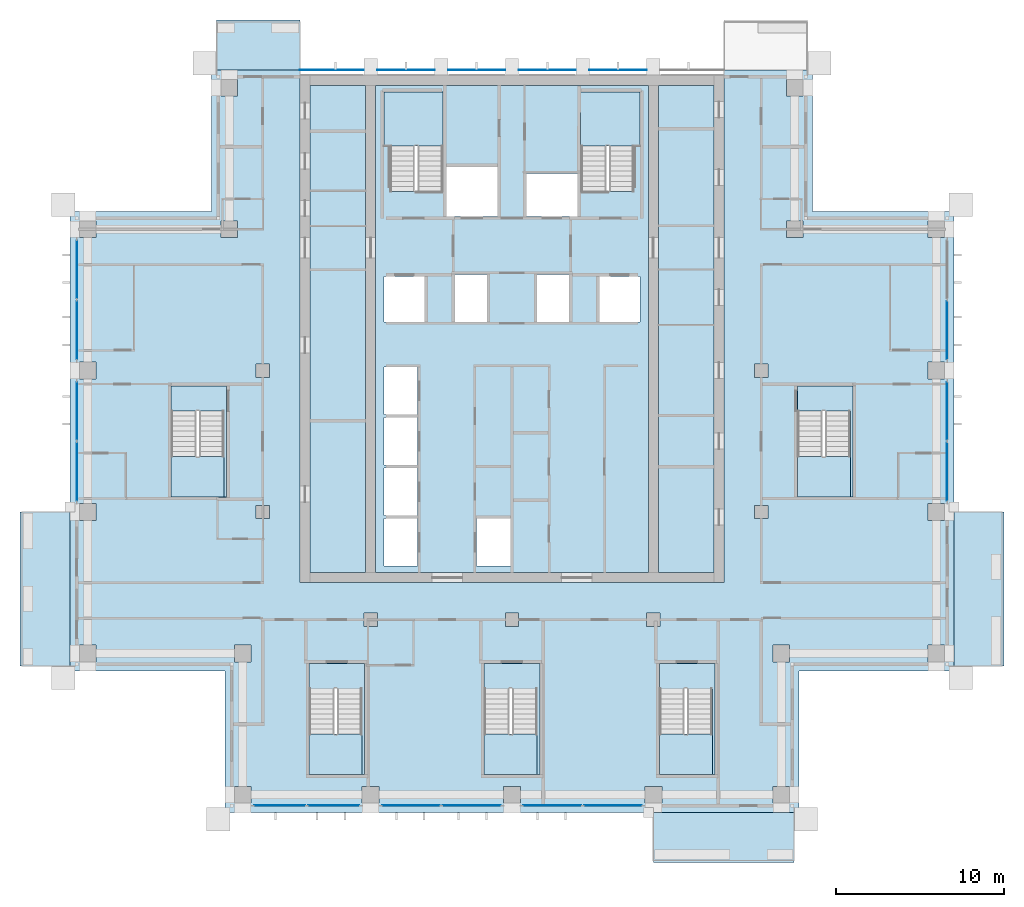
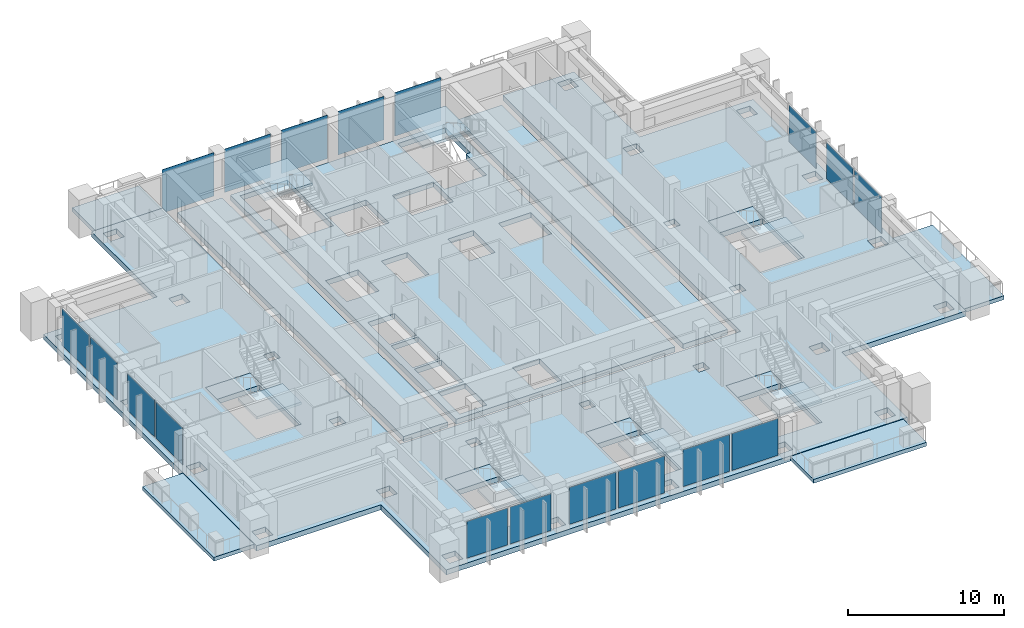
# One storey, part 8 of 19: 20 slabs, 18 plates, 14 elements without a shape of their own.
"""IFC4 building model written with IfcOpenShell, lengths in metres."""

import ifcopenshell
import ifcopenshell.guid

model = None  # the IFC model being written
_history = None  # IfcOwnerHistory: only IFC2X3 demands one
_inside = {}  # id of a spatial element -> (the spatial element, [elements in it])
_under = {}  # id of a project, library or spatial element -> (it, [spatial elements below it])
_declared = {}  # id of a project -> (the project, [libraries it declares])
_typed = {}  # id of a type object -> (the type object, [elements of that type])
_made_of = {}  # id of a material, layer set ... -> (it, [elements and type objects made of it])


def new_model(schema):
    """Start an empty IFC model of exactly this schema.

    Asked for "IFC4X3", IfcOpenShell would pick the latest addendum, in which some entities
    have other attributes; the version numbers below select the first issue.
    IFC2X3 requires an IfcOwnerHistory on every rooted entity: one is made here for all.
    """
    global model, _history
    if schema == "IFC4X3":
        model = ifcopenshell.file(schema_version=(4, 3, 0, 0))
    else:
        model = ifcopenshell.file(schema=schema)
    _inside.clear()
    _under.clear()
    _declared.clear()
    _typed.clear()
    _made_of.clear()
    _history = None
    if model.schema == "IFC2X3":
        org = make("IfcOrganization", Name="unknown")
        user = make(
            "IfcPersonAndOrganization",
            ThePerson=make("IfcPerson", FamilyName="unknown"),
            TheOrganization=org,
        )
        app = make(
            "IfcApplication",
            ApplicationDeveloper=org,
            Version="unknown",
            ApplicationFullName="unknown",
            ApplicationIdentifier="unknown",
        )
        _history = make(
            "IfcOwnerHistory",
            OwningUser=user,
            OwningApplication=app,
            ChangeAction="ADDED",
            CreationDate=0,
        )
    return model


def make(cls, **values):
    """One entity of the class cls with the attributes given. An attribute that is None is left unset."""
    return model.create_entity(
        cls, **{name: value for name, value in values.items() if value is not None}
    )


def rooted(cls, **values):
    """An entity with a GlobalId (a new one), such as an element, a storey or a relation."""
    return make(cls, GlobalId=ifcopenshell.guid.new(), OwnerHistory=_history, **values)


def si_unit(unit_type, name, prefix=None):
    """IfcSIUnit, for example si_unit("LENGTHUNIT", "METRE", prefix="MILLI")."""
    return make("IfcSIUnit", UnitType=unit_type, Prefix=prefix, Name=name)


def assignment(units):
    """IfcUnitAssignment: the units of a project."""
    return None if units is None else make("IfcUnitAssignment", Units=units)


def point(xyz):
    """IfcCartesianPoint."""
    return None if xyz is None else make("IfcCartesianPoint", Coordinates=xyz)


def direction(xyz):
    """IfcDirection."""
    return None if xyz is None else make("IfcDirection", DirectionRatios=xyz)


def frame(location, z_axis=None, x_axis=None):
    """IfcAxis2Placement3D, a coordinate frame: its origin and axes. An axis left out is left unset."""
    return make(
        "IfcAxis2Placement3D",
        Location=point(location),
        Axis=direction(z_axis),
        RefDirection=direction(x_axis),
    )


def frame_2d(location, x_axis=None):
    """IfcAxis2Placement2D, a coordinate frame in the plane: its origin and x axis."""
    return make(
        "IfcAxis2Placement2D", Location=point(location), RefDirection=direction(x_axis)
    )


def origin():
    """The frame at (0, 0, 0) with its axes left unset."""
    return frame((0.0, 0.0, 0.0))


def origin_2d():
    """The frame at (0, 0) in the plane with its x axis left unset."""
    return frame_2d((0.0, 0.0))


def place(relative_to, where):
    """IfcLocalPlacement: puts the frame where relative to a parent placement (None: the world)."""
    return make(
        "IfcLocalPlacement", PlacementRelTo=relative_to, RelativePlacement=where
    )


def context(
    kind, dimensions, precision=None, world=None, true_north=None, identifier=None
):
    """IfcGeometricRepresentationContext, for example the 3D "Model" context."""
    return make(
        "IfcGeometricRepresentationContext",
        ContextIdentifier=identifier,
        ContextType=kind,
        CoordinateSpaceDimension=dimensions,
        Precision=precision,
        WorldCoordinateSystem=world,
        TrueNorth=true_north,
    )


def subcontext(parent, identifier, kind, view, scale=None):
    """IfcGeometricRepresentationSubContext, for example "Body" below "Model"."""
    return make(
        "IfcGeometricRepresentationSubContext",
        ContextIdentifier=identifier,
        ContextType=kind,
        ParentContext=parent,
        TargetScale=scale,
        TargetView=view,
    )


def project(units=None, contexts=None):
    """IfcProject with its units and contexts."""
    return rooted(
        "IfcProject",
        Name="project",
        RepresentationContexts=contexts,
        UnitsInContext=assignment(units),
    )


def spatial(cls, under=None, at=None, **own):
    """A site, building, storey or space (cls), placed at a placement, below another one or the project."""
    s = rooted(cls, ObjectPlacement=at, **own)
    if under is not None:
        _under.setdefault(under.id(), (under, []))[1].append(s)
    return s


def polyline(points):
    """IfcPolyline through the points."""
    return make("IfcPolyline", Points=[point(p) for p in points])


def profile(cls, at=None, kind="AREA", **sizes):
    """A parametric profile (cls). Its sizes go by their IFC names, for example OverallWidth=200.0."""
    return make(cls, ProfileType=kind, Position=at, **sizes)


def rectangle(**sizes):
    """IfcRectangleProfileDef."""
    return profile("IfcRectangleProfileDef", **sizes)


def outline(outer, holes=None, kind="AREA"):
    """IfcArbitraryClosedProfileDef: a profile drawn as a closed curve; with holes, ...WithVoids."""
    if holes is None:
        return make("IfcArbitraryClosedProfileDef", ProfileType=kind, OuterCurve=outer)
    return make(
        "IfcArbitraryProfileDefWithVoids",
        ProfileType=kind,
        OuterCurve=outer,
        InnerCurves=holes,
    )


def extrude(swept, where, along, depth):
    """IfcExtrudedAreaSolid: the profile swept, set in the frame where, extruded along a direction by depth."""
    return make(
        "IfcExtrudedAreaSolid",
        SweptArea=swept,
        Position=where,
        ExtrudedDirection=direction(along),
        Depth=depth,
    )


def shape(context_of_items, identifier, shape_type, items):
    """IfcShapeRepresentation: the items that make up one representation, for example the "Body"."""
    return make(
        "IfcShapeRepresentation",
        ContextOfItems=context_of_items,
        RepresentationIdentifier=identifier,
        RepresentationType=shape_type,
        Items=items,
    )


def material(Name=None, Category=None):
    """IfcMaterial."""
    return make("IfcMaterial", Name=Name, Category=Category)


def layer(
    of_material, thickness, ventilated=None, Name=None, Category=None, Priority=None
):
    """IfcMaterialLayer: one layer of a wall or slab, of a material (None: an air gap)."""
    return make(
        "IfcMaterialLayer",
        Material=of_material,
        LayerThickness=thickness,
        IsVentilated=ventilated,
        Name=Name,
        Category=Category,
        Priority=Priority,
    )


def layer_set(layers, Name=None):
    """IfcMaterialLayerSet."""
    return make("IfcMaterialLayerSet", MaterialLayers=layers, LayerSetName=Name)


def made_of(thing, what):
    """Note that an element or type object is made of a material, layer set ...; save() writes the relation."""
    if what is not None:
        _made_of.setdefault(what.id(), (what, []))[1].append(thing)
    return thing


def type_object(cls, material=None, **own):
    """A type object (cls), such as IfcWallType, which elements share."""
    return made_of(rooted(cls, **own), material)


def element(
    cls,
    number,
    at=None,
    inside=None,
    cuts=None,
    type_object=None,
    material=None,
    context=None,
    identifier="Body",
    shape_type=None,
    held_by="IfcProductDefinitionShape",
    body=None,
    shapes=None,
    **own,
):
    """One element of the class cls, such as IfcWall. Its Tag is "e" and its number.

    at: its placement. inside: the storey or other place that contains it. cuts: it is an
    opening in that element (IfcRelVoidsElement). A single representation is given by context,
    identifier, shape_type and body (its items); several are given by shapes. held_by: the class
    of the entity that holds the representations. save() writes the other relations.
    """
    e = rooted(cls, Tag="e%d" % number, ObjectPlacement=at, **own)
    if body is not None:
        shapes = [shape(context, identifier, shape_type, body)]
    if shapes is not None:
        e.Representation = make(held_by, Representations=shapes)
    if inside is not None:
        _inside.setdefault(inside.id(), (inside, []))[1].append(e)
    if cuts is not None:
        rooted(
            "IfcRelVoidsElement", RelatingBuildingElement=cuts, RelatedOpeningElement=e
        )
    if type_object is not None:
        _typed.setdefault(type_object.id(), (type_object, []))[1].append(e)
    return made_of(e, material)


def aggregate(whole, parts):
    """IfcRelAggregates: a whole, such as a stair, and the parts it consists of."""
    return rooted("IfcRelAggregates", RelatingObject=whole, RelatedObjects=parts)


def save(model, path):
    """Write the relations noted so far, then the file.

    IfcRelAggregates (storeys below a building ...), IfcRelContainedInSpatialStructure (elements
    in a storey), IfcRelDefinesByType, IfcRelAssociatesMaterial and IfcRelDeclares: one each for
    every whole, place, type object, material and project.
    """
    for whole, parts in _under.values():
        aggregate(whole, parts)
    for where, things in _inside.values():
        rooted(
            "IfcRelContainedInSpatialStructure",
            RelatedElements=things,
            RelatingStructure=where,
        )
    for kind, things in _typed.values():
        rooted("IfcRelDefinesByType", RelatedObjects=things, RelatingType=kind)
    for what, things in _made_of.values():
        rooted("IfcRelAssociatesMaterial", RelatedObjects=things, RelatingMaterial=what)
    for by, libraries in _declared.values():
        rooted("IfcRelDeclares", RelatingContext=by, RelatedDefinitions=libraries)
    model.write(path)


model = new_model("IFC4")

# Units and contexts
model_context = context("Model", 3, precision=1e-05, world=origin(), true_north=direction((0.0, 1.0)))
body_context = subcontext(model_context, "Body", "Model", "MODEL_VIEW")
ifc_project = project(units=[si_unit("LENGTHUNIT", "METRE"), si_unit("AREAUNIT", "SQUARE_METRE"), si_unit("VOLUMEUNIT", "CUBIC_METRE"), si_unit("PLANEANGLEUNIT", "RADIAN"), si_unit("MASSUNIT", "GRAM", prefix="KILO")], contexts=[model_context])

# Site, building, storey
site_placement = place(None, origin())
site = spatial("IfcSite", under=ifc_project, at=site_placement, CompositionType="ELEMENT")
building_placement = place(site_placement, origin())
building = spatial("IfcBuilding", under=site, at=building_placement, Name="Vermilion Ogive Tower", CompositionType="ELEMENT")
storey_placement = place(building_placement, frame((0.0, 0.0, 213.5)))
storey = spatial("IfcBuildingStorey", under=building, at=storey_placement, Name="L56", CompositionType="ELEMENT", Elevation=213.5)

# Slabs
ifc_material_1 = material(Name="Concrete B40", Category="concrete")
ifc_layer_1 = layer(ifc_material_1, 0.300048828125)
ifc_layer_set_1 = layer_set([ifc_layer_1], Name="Balcony slab")
slab_type_1 = type_object("IfcSlabType", Name="Balcony slab", PredefinedType="FLOOR", material=ifc_layer_set_1)
slab_1_placement = place(storey_placement, frame((0.0, 0.0, -0.340087890625)))
element("IfcSlab", 1, at=slab_1_placement, inside=storey, type_object=slab_type_1, Name="Balcony slab S04", PredefinedType="FLOOR", context=body_context, shape_type="SweptSolid", body=[
    extrude(outline(polyline([(8.39990234375, -25.030029296875), (16.75, -25.030029296875), (16.75, -22.050048828125), (8.39990234375, -22.050048828125), (8.39990234375, -25.030029296875)])), origin(), (0.0, 0.0, 1.0), 0.300048828125),
])
slab_2_placement = place(storey_placement, frame((0.0, 0.0, -0.340087890625)))
element("IfcSlab", 2, at=slab_2_placement, inside=storey, type_object=slab_type_1, Name="Balcony slab E01", PredefinedType="FLOOR", context=body_context, shape_type="SweptSolid", body=[
    extrude(outline(polyline([(29.22998046875, -13.35009765625), (29.22998046875, -4.199951171875), (26.25, -4.199951171875), (26.25, -13.35009765625), (29.22998046875, -13.35009765625)])), origin(), (0.0, 0.0, 1.0), 0.300048828125),
])
slab_3_placement = place(storey_placement, frame((0.0, 0.0, -0.340087890625)))
element("IfcSlab", 3, at=slab_3_placement, inside=storey, type_object=slab_type_1, Name="Balcony slab N201", PredefinedType="FLOOR", context=body_context, shape_type="SweptSolid", body=[
    extrude(outline(polyline([(-12.60009765625, 25.030029296875), (-17.550048828125, 25.030029296875), (-17.550048828125, 22.050048828125), (-12.60009765625, 22.050048828125), (-12.60009765625, 25.030029296875)])), origin(), (0.0, 0.0, 1.0), 0.300048828125),
])
slab_4_placement = place(storey_placement, frame((0.0, 0.0, -0.340087890625)))
element("IfcSlab", 4, at=slab_4_placement, inside=storey, type_object=slab_type_1, Name="Balcony slab W03", PredefinedType="FLOOR", context=body_context, shape_type="SweptSolid", body=[
    extrude(outline(polyline([(-29.22998046875, -4.199951171875), (-29.22998046875, -13.35009765625), (-26.25, -13.35009765625), (-26.25, -4.199951171875), (-29.22998046875, -4.199951171875)])), origin(), (0.0, 0.0, 1.0), 0.300048828125),
])

# Curtain wall, plates
ifc_material_2 = material(Name="Low-iron laminated glazing in aluminium frame", Category="aluminium")
curtain_wall_type = type_object("IfcCurtainWallType", Name="Curtain wall CW7", PredefinedType="NOTDEFINED", material=ifc_material_2)
curtain_wall_1_placement = place(storey_placement, origin())
curtain_wall_1 = element("IfcCurtainWall", 5, at=curtain_wall_1_placement, inside=storey, type_object=curtain_wall_type, Name="Glazed skin S1", PredefinedType="NOTDEFINED")
ifc_material_3 = material(Name="Low-iron laminated glazing in aluminium frame", Category="aluminium")
ifc_layer_2 = layer(ifc_material_3, 0.031982421875)
ifc_layer_set_2 = layer_set([ifc_layer_2], Name="CW7 glazing panel 32")
plate_type_1 = type_object("IfcPlateType", Name="CW7 glazing panel 32", PredefinedType="CURTAIN_PANEL", material=ifc_layer_set_2)
plate_1_placement = place(storey_placement, frame((-13.804931640625, -21.64990234375, 0.06005859375), z_axis=(0.0, 0.0, 1.0), x_axis=(1.0, 0.0, 0.0)))
plate_1 = element("IfcPlate", 6, at=plate_1_placement, type_object=plate_type_1, Name="CW7-S1 panel 1.1", PredefinedType="CURTAIN_PANEL", context=body_context, shape_type="SweptSolid", body=[
    extrude(rectangle(XDim=3.030029296875, YDim=0.031982421875, at=origin_2d()), origin(), (0.0, 0.0, 1.0), 2.8798828125),
])
plate_2_placement = place(storey_placement, frame((-10.594970703125, -21.64990234375, 0.06005859375), z_axis=(0.0, 0.0, 1.0), x_axis=(1.0, 0.0, 0.0)))
plate_2 = element("IfcPlate", 7, at=plate_2_placement, type_object=plate_type_1, Name="CW7-S1 panel 2.1", PredefinedType="CURTAIN_PANEL", context=body_context, shape_type="SweptSolid", body=[
    extrude(rectangle(XDim=3.030029296875, YDim=0.031982421875, at=origin_2d()), origin(), (0.0, 0.0, 1.0), 2.8798828125),
])
aggregate(curtain_wall_1, [plate_1, plate_2])

curtain_wall_2_placement = place(storey_placement, origin())
curtain_wall_2 = element("IfcCurtainWall", 8, at=curtain_wall_2_placement, inside=storey, type_object=curtain_wall_type, Name="Glazed skin S2", PredefinedType="NOTDEFINED")
plate_3_placement = place(storey_placement, frame((-6.0048828125, -21.64990234375, 0.06005859375), z_axis=(0.0, 0.0, 1.0), x_axis=(1.0, 0.0, 0.0)))
plate_3 = element("IfcPlate", 9, at=plate_3_placement, type_object=plate_type_1, Name="CW7-S2 panel 1.1", PredefinedType="CURTAIN_PANEL", context=body_context, shape_type="SweptSolid", body=[
    extrude(rectangle(XDim=3.429931640625, YDim=0.031982421875, at=origin_2d()), origin(), (0.0, 0.0, 1.0), 2.8798828125),
])
plate_4_placement = place(storey_placement, frame((-2.39501953125, -21.64990234375, 0.06005859375), z_axis=(0.0, 0.0, 1.0), x_axis=(1.0, 0.0, 0.0)))
plate_4 = element("IfcPlate", 10, at=plate_4_placement, type_object=plate_type_1, Name="CW7-S2 panel 2.1", PredefinedType="CURTAIN_PANEL", context=body_context, shape_type="SweptSolid", body=[
    extrude(rectangle(XDim=3.429931640625, YDim=0.031982421875, at=origin_2d()), origin(), (0.0, 0.0, 1.0), 2.8798828125),
])
aggregate(curtain_wall_2, [plate_3, plate_4])

curtain_wall_3_placement = place(storey_placement, origin())
curtain_wall_3 = element("IfcCurtainWall", 11, at=curtain_wall_3_placement, inside=storey, type_object=curtain_wall_type, Name="Glazed skin S3", PredefinedType="NOTDEFINED")
plate_5_placement = place(storey_placement, frame((2.39501953125, -21.64990234375, 0.06005859375), z_axis=(0.0, 0.0, 1.0), x_axis=(1.0, 0.0, 0.0)))
plate_5 = element("IfcPlate", 12, at=plate_5_placement, type_object=plate_type_1, Name="CW7-S3 panel 1.1", PredefinedType="CURTAIN_PANEL", context=body_context, shape_type="SweptSolid", body=[
    extrude(rectangle(XDim=3.429931640625, YDim=0.031982421875, at=origin_2d()), origin(), (0.0, 0.0, 1.0), 2.8798828125),
])
plate_6_placement = place(storey_placement, frame((6.0048828125, -21.64990234375, 0.06005859375), z_axis=(0.0, 0.0, 1.0), x_axis=(1.0, 0.0, 0.0)))
plate_6 = element("IfcPlate", 13, at=plate_6_placement, type_object=plate_type_1, Name="CW7-S3 panel 2.1", PredefinedType="CURTAIN_PANEL", context=body_context, shape_type="SweptSolid", body=[
    extrude(rectangle(XDim=3.429931640625, YDim=0.031982421875, at=origin_2d()), origin(), (0.0, 0.0, 1.0), 2.8798828125),
])
aggregate(curtain_wall_3, [plate_5, plate_6])

curtain_wall_4_placement = place(storey_placement, origin())
curtain_wall_4 = element("IfcCurtainWall", 14, at=curtain_wall_4_placement, inside=storey, type_object=curtain_wall_type, Name="Glazed skin E2", PredefinedType="NOTDEFINED")
plate_7_placement = place(storey_placement, frame((25.85009765625, -1.804931640625, 0.06005859375), z_axis=(0.0, 0.0, 1.0), x_axis=(0.0, 1.0, 0.0)))
plate_7 = element("IfcPlate", 15, at=plate_7_placement, type_object=plate_type_1, Name="CW7-E2 panel 1.1", PredefinedType="CURTAIN_PANEL", context=body_context, shape_type="SweptSolid", body=[
    extrude(rectangle(XDim=3.429931640625, YDim=0.031982421875, at=origin_2d()), origin(), (0.0, 0.0, 1.0), 2.8798828125),
])
plate_8_placement = place(storey_placement, frame((25.85009765625, 1.804931640625, 0.06005859375), z_axis=(0.0, 0.0, 1.0), x_axis=(0.0, 1.0, 0.0)))
plate_8 = element("IfcPlate", 16, at=plate_8_placement, type_object=plate_type_1, Name="CW7-E2 panel 2.1", PredefinedType="CURTAIN_PANEL", context=body_context, shape_type="SweptSolid", body=[
    extrude(rectangle(XDim=3.429931640625, YDim=0.031982421875, at=origin_2d()), origin(), (0.0, 0.0, 1.0), 2.8798828125),
])
aggregate(curtain_wall_4, [plate_7, plate_8])

# Curtain wall, plate
curtain_wall_5_placement = place(storey_placement, origin())
curtain_wall_5 = element("IfcCurtainWall", 17, at=curtain_wall_5_placement, inside=storey, type_object=curtain_wall_type, Name="Glazed skin E3", PredefinedType="NOTDEFINED")
plate_9_placement = place(storey_placement, frame((25.85009765625, 6.594970703125, 0.06005859375), z_axis=(0.0, 0.0, 1.0), x_axis=(0.0, 1.0, 0.0)))
plate_9 = element("IfcPlate", 18, at=plate_9_placement, type_object=plate_type_1, Name="CW7-E3 panel 1.1", PredefinedType="CURTAIN_PANEL", context=body_context, shape_type="SweptSolid", body=[
    extrude(rectangle(XDim=3.429931640625, YDim=0.031982421875, at=origin_2d()), origin(), (0.0, 0.0, 1.0), 2.8798828125),
])
aggregate(curtain_wall_5, [plate_9])

# Curtain wall, plates
curtain_wall_6_placement = place(storey_placement, origin())
curtain_wall_6 = element("IfcCurtainWall", 19, at=curtain_wall_6_placement, inside=storey, type_object=curtain_wall_type, Name="Glazed skin W1", PredefinedType="NOTDEFINED")
plate_10_placement = place(storey_placement, frame((-25.85009765625, 10.205078125, 0.06005859375), z_axis=(0.0, 0.0, 1.0), x_axis=(0.0, -1.0, 0.0)))
plate_10 = element("IfcPlate", 20, at=plate_10_placement, type_object=plate_type_1, Name="CW7-W1 panel 1.1", PredefinedType="CURTAIN_PANEL", context=body_context, shape_type="SweptSolid", body=[
    extrude(rectangle(XDim=3.429931640625, YDim=0.031982421875, at=origin_2d()), origin(), (0.0, 0.0, 1.0), 2.8798828125),
])
plate_11_placement = place(storey_placement, frame((-25.85009765625, 6.594970703125, 0.06005859375), z_axis=(0.0, 0.0, 1.0), x_axis=(0.0, -1.0, 0.0)))
plate_11 = element("IfcPlate", 21, at=plate_11_placement, type_object=plate_type_1, Name="CW7-W1 panel 2.1", PredefinedType="CURTAIN_PANEL", context=body_context, shape_type="SweptSolid", body=[
    extrude(rectangle(XDim=3.429931640625, YDim=0.031982421875, at=origin_2d()), origin(), (0.0, 0.0, 1.0), 2.8798828125),
])
aggregate(curtain_wall_6, [plate_10, plate_11])

curtain_wall_7_placement = place(storey_placement, origin())
curtain_wall_7 = element("IfcCurtainWall", 22, at=curtain_wall_7_placement, inside=storey, type_object=curtain_wall_type, Name="Glazed skin W2", PredefinedType="NOTDEFINED")
plate_12_placement = place(storey_placement, frame((-25.85009765625, 1.804931640625, 0.06005859375), z_axis=(0.0, 0.0, 1.0), x_axis=(0.0, -1.0, 0.0)))
plate_12 = element("IfcPlate", 23, at=plate_12_placement, type_object=plate_type_1, Name="CW7-W2 panel 1.1", PredefinedType="CURTAIN_PANEL", context=body_context, shape_type="SweptSolid", body=[
    extrude(rectangle(XDim=3.429931640625, YDim=0.031982421875, at=origin_2d()), origin(), (0.0, 0.0, 1.0), 2.8798828125),
])
plate_13_placement = place(storey_placement, frame((-25.85009765625, -1.804931640625, 0.06005859375), z_axis=(0.0, 0.0, 1.0), x_axis=(0.0, -1.0, 0.0)))
plate_13 = element("IfcPlate", 24, at=plate_13_placement, type_object=plate_type_1, Name="CW7-W2 panel 2.1", PredefinedType="CURTAIN_PANEL", context=body_context, shape_type="SweptSolid", body=[
    extrude(rectangle(XDim=3.429931640625, YDim=0.031982421875, at=origin_2d()), origin(), (0.0, 0.0, 1.0), 2.8798828125),
])
aggregate(curtain_wall_7, [plate_12, plate_13])

# Slabs
ifc_material_4 = material(Name="Concrete B40", Category="concrete")
ifc_layer_3 = layer(ifc_material_4, 0.39990234375)
ifc_layer_set_3 = layer_set([ifc_layer_3], Name="Core floor slab 400 B40")
slab_type_2 = type_object("IfcSlabType", Name="Core floor slab 400 B40", PredefinedType="FLOOR", material=ifc_layer_set_3)
slab_5_placement = place(storey_placement, frame((0.0, 0.0, -0.39990234375)))
element("IfcSlab", 25, at=slab_5_placement, inside=storey, type_object=slab_type_2, Name="L56-CK-FS1", PredefinedType="FLOOR", context=body_context, shape_type="SweptSolid", body=[
    extrude(outline(polyline([(-11.99609375, 21.14599609375), (-8.7041015625, 21.14599609375), (-8.7041015625, -7.7958984375), (-11.99609375, -7.7958984375), (-11.99609375, 21.14599609375)])), origin(), (0.0, 0.0, 1.0), 0.39990234375),
])
slab_6_placement = place(storey_placement, frame((0.0, 0.0, -0.39990234375)))
element("IfcSlab", 26, at=slab_6_placement, inside=storey, type_object=slab_type_2, Name="L56-CK-FS2", PredefinedType="FLOOR", context=body_context, shape_type="SweptSolid", body=[
    extrude(outline(polyline([(-8.095947265625, -7.7958984375), (8.095947265625, -7.7958984375), (8.095947265625, 21.14599609375), (-8.095947265625, 21.14599609375), (-8.095947265625, -7.7958984375)]), holes=[polyline([(-7.60009765625, -7.39990234375), (-7.60009765625, -4.60009765625), (-5.60009765625, -4.60009765625), (-5.60009765625, -7.39990234375), (-7.60009765625, -7.39990234375)]), polyline([(-7.60009765625, -4.39990234375), (-7.60009765625, -1.60009765625), (-5.60009765625, -1.60009765625), (-5.60009765625, -4.39990234375), (-7.60009765625, -4.39990234375)]), polyline([(-7.60009765625, -1.39990234375), (-7.60009765625, 1.39990234375), (-5.60009765625, 1.39990234375), (-5.60009765625, -1.39990234375), (-7.60009765625, -1.39990234375)]), polyline([(-7.60009765625, 1.60009765625), (-7.60009765625, 4.39990234375), (-5.60009765625, 4.39990234375), (-5.60009765625, 1.60009765625), (-7.60009765625, 1.60009765625)]), polyline([(-7.60009765625, 7.10009765625), (-7.60009765625, 9.800048828125), (-5.199951171875, 9.800048828125), (-5.199951171875, 7.10009765625), (-7.60009765625, 7.10009765625)]), polyline([(-3.39990234375, 9.89990234375), (-1.5, 9.89990234375), (-1.5, 7.10009765625), (-3.39990234375, 7.10009765625), (-3.39990234375, 9.89990234375)]), polyline([(-7.60009765625, 17.550048828125), (-7.60009765625, 20.75), (-4.10009765625, 20.75), (-4.10009765625, 14.85205078125), (-5.60009765625, 14.85205078125), (-5.60009765625, 14.85009765625), (-5.75, 14.85009765625), (-5.75, 14.85205078125), (-7.25, 14.85205078125), (-7.25, 17.550048828125), (-7.60009765625, 17.550048828125)]), polyline([(-2.10009765625, -7.39990234375), (-2.10009765625, -4.60009765625), (-0.10009765625, -4.60009765625), (-0.10009765625, -7.39990234375), (-2.10009765625, -7.39990234375)]), polyline([(5.199951171875, 7.10009765625), (5.199951171875, 9.800048828125), (7.60009765625, 9.800048828125), (7.60009765625, 7.10009765625), (5.199951171875, 7.10009765625)]), polyline([(1.5, 7.10009765625), (1.5, 9.89990234375), (3.39990234375, 9.89990234375), (3.39990234375, 7.10009765625), (1.5, 7.10009765625)]), polyline([(0.85009765625, 13.35009765625), (0.85009765625, 15.89990234375), (3.89990234375, 15.89990234375), (3.89990234375, 13.35009765625), (0.85009765625, 13.35009765625)]), polyline([(-3.89990234375, 16.300048828125), (-0.85009765625, 16.300048828125), (-0.85009765625, 13.35009765625), (-3.89990234375, 13.35009765625), (-3.89990234375, 16.300048828125)]), polyline([(5.75, 14.85009765625), (5.60009765625, 14.85009765625), (5.60009765625, 14.85205078125), (4.10009765625, 14.85205078125), (4.10009765625, 17.550048828125), (4.074951171875, 17.550048828125), (4.074951171875, 20.75), (7.60009765625, 20.75), (7.60009765625, 17.550048828125), (7.25, 17.550048828125), (7.25, 14.85205078125), (5.75, 14.85205078125), (5.75, 14.85009765625)])]), origin(), (0.0, 0.0, 1.0), 0.39990234375),
])
slab_7_placement = place(storey_placement, frame((0.0, 0.0, -0.39990234375)))
element("IfcSlab", 27, at=slab_7_placement, inside=storey, type_object=slab_type_2, Name="L56-CK-FS3", PredefinedType="FLOOR", context=body_context, shape_type="SweptSolid", body=[
    extrude(outline(polyline([(11.99609375, 21.14599609375), (11.99609375, -7.7958984375), (8.7041015625, -7.7958984375), (8.7041015625, 21.14599609375), (11.99609375, 21.14599609375)])), origin(), (0.0, 0.0, 1.0), 0.39990234375),
])
slab_8_placement = place(storey_placement, frame((0.0, 0.0, -0.39990234375)))
element("IfcSlab", 28, at=slab_8_placement, inside=storey, type_object=slab_type_2, Name="L56-SF-ST3-1", PredefinedType="FLOOR", context=body_context, shape_type="SweptSolid", body=[
    extrude(outline(polyline([(-12.050048828125, -13.199951171875), (-12.050048828125, -14.701904296875), (-10.550048828125, -14.701904296875), (-10.550048828125, -14.699951171875), (-10.39990234375, -14.699951171875), (-10.39990234375, -14.701904296875), (-8.89990234375, -14.701904296875), (-8.89990234375, -19.800048828125), (-8.75, -19.800048828125), (-8.75, -13.199951171875), (-12.050048828125, -13.199951171875)])), origin(), (0.0, 0.0, 1.0), 0.39990234375),
])
slab_9_placement = place(storey_placement, frame((0.0, 0.0, -0.39990234375)))
element("IfcSlab", 29, at=slab_9_placement, inside=storey, type_object=slab_type_2, Name="L56-SF-ST4-1", PredefinedType="FLOOR", context=body_context, shape_type="SweptSolid", body=[
    extrude(outline(polyline([(-1.64990234375, -13.199951171875), (-1.64990234375, -14.701904296875), (-0.14990234375, -14.701904296875), (-0.14990234375, -14.699951171875), (0.0, -14.699951171875), (0.0, -14.701904296875), (1.5, -14.701904296875), (1.5, -19.800048828125), (1.64990234375, -19.800048828125), (1.64990234375, -13.199951171875), (-1.64990234375, -13.199951171875)])), origin(), (0.0, 0.0, 1.0), 0.39990234375),
])
slab_10_placement = place(storey_placement, frame((0.0, 0.0, -0.39990234375)))
element("IfcSlab", 30, at=slab_10_placement, inside=storey, type_object=slab_type_2, Name="L56-SF-ST5-1", PredefinedType="FLOOR", context=body_context, shape_type="SweptSolid", body=[
    extrude(outline(polyline([(8.75, -13.199951171875), (8.75, -14.701904296875), (10.25, -14.701904296875), (10.25, -14.699951171875), (10.39990234375, -14.699951171875), (10.39990234375, -14.701904296875), (11.89990234375, -14.701904296875), (11.89990234375, -19.800048828125), (12.050048828125, -19.800048828125), (12.050048828125, -13.199951171875), (8.75, -13.199951171875)])), origin(), (0.0, 0.0, 1.0), 0.39990234375),
])
slab_11_placement = place(storey_placement, frame((0.0, 0.0, -0.39990234375)))
element("IfcSlab", 31, at=slab_11_placement, inside=storey, type_object=slab_type_2, Name="L56-SF-ST8-1", PredefinedType="FLOOR", context=body_context, shape_type="SweptSolid", body=[
    extrude(outline(polyline([(16.949951171875, 3.300048828125), (16.949951171875, 1.798095703125), (18.449951171875, 1.798095703125), (18.449951171875, 1.800048828125), (18.60009765625, 1.800048828125), (18.60009765625, 1.798095703125), (20.10009765625, 1.798095703125), (20.10009765625, -3.300048828125), (20.25, -3.300048828125), (20.25, 3.300048828125), (16.949951171875, 3.300048828125)])), origin(), (0.0, 0.0, 1.0), 0.39990234375),
])
slab_12_placement = place(storey_placement, frame((0.0, 0.0, -0.39990234375)))
element("IfcSlab", 32, at=slab_12_placement, inside=storey, type_object=slab_type_2, Name="L56-SF-ST9-1", PredefinedType="FLOOR", context=body_context, shape_type="SweptSolid", body=[
    extrude(outline(polyline([(-20.25, 3.300048828125), (-20.25, 1.798095703125), (-18.75, 1.798095703125), (-18.75, 1.800048828125), (-18.60009765625, 1.800048828125), (-18.60009765625, 1.798095703125), (-17.10009765625, 1.798095703125), (-17.10009765625, -3.300048828125), (-16.949951171875, -3.300048828125), (-16.949951171875, 3.300048828125), (-20.25, 3.300048828125)])), origin(), (0.0, 0.0, 1.0), 0.39990234375),
])

# Plates
ifc_material_5 = material(Name="Low-iron laminated glazing in aluminium frame", Category="aluminium")
ifc_layer_4 = layer(ifc_material_5, 0.031982421875)
ifc_layer_set_4 = layer_set([ifc_layer_4], Name="Glazed rainscreen sheet 32")
plate_type_2 = type_object("IfcPlateType", Name="Glazed rainscreen sheet 32", PredefinedType="SHEET", material=ifc_layer_set_4)
plate_14_placement = place(storey_placement, frame((-10.7099609375, 22.06591796875, -0.39990234375), z_axis=(0.0, 0.0, 1.0), x_axis=(1.0, 0.0, 0.0)))
element("IfcPlate", 33, at=plate_14_placement, inside=storey, type_object=plate_type_2, Name="Glazed rainscreen sheet N1", PredefinedType="SHEET", context=body_context, shape_type="SweptSolid", body=[
    extrude(rectangle(XDim=3.820068359375, YDim=0.031982421875, at=origin_2d()), origin(), (0.0, 0.0, 1.0), 3.39990234375),
])
for number, where, z_axis, x_axis, name in (
    (34, (-6.300048828125, 22.06591796875, -0.39990234375), (0.0, 0.0, 1.0), (1.0, 0.0, 0.0), "Glazed rainscreen sheet N2"),
    (35, (-2.10009765625, 22.06591796875, -0.39990234375), (0.0, 0.0, 1.0), (1.0, 0.0, 0.0), "Glazed rainscreen sheet N3"),
    (36, (2.10009765625, 22.06591796875, -0.39990234375), (0.0, 0.0, 1.0), (1.0, 0.0, 0.0), "Glazed rainscreen sheet N4"),
    (37, (6.300048828125, 22.06591796875, -0.39990234375), (0.0, 0.0, 1.0), (1.0, 0.0, 0.0), "Glazed rainscreen sheet N5"),
):
    element("IfcPlate", number, at=place(storey_placement, frame(where, z_axis=z_axis, x_axis=x_axis)), inside=storey, type_object=plate_type_2, Name=name, PredefinedType="SHEET", context=body_context, shape_type="SweptSolid", body=[
        extrude(rectangle(XDim=3.39990234375, YDim=0.031982421875, at=origin_2d()), origin(), (0.0, 0.0, 1.0), 3.39990234375),
    ])

# Slab
ifc_material_6 = material(Name="Concrete B45", Category="concrete")
ifc_layer_5 = layer(ifc_material_6, 0.39990234375)
ifc_layer_set_5 = layer_set([ifc_layer_5], Name="Post-tensioned flat plate 400 B45")
slab_type_3 = type_object("IfcSlabType", Name="Post-tensioned flat plate 400 B45", PredefinedType="FLOOR", material=ifc_layer_set_5)
slab_13_placement = place(storey_placement, frame((0.0, 0.0, -0.39990234375)))
element("IfcSlab", 38, at=slab_13_placement, inside=storey, type_object=slab_type_3, Name="L56-SL-1", PredefinedType="FLOOR", context=body_context, shape_type="SweptSolid", body=[
    extrude(outline(polyline([(-26.25, -13.64990234375), (-17.050048828125, -13.64990234375), (-17.050048828125, -22.050048828125), (17.050048828125, -22.050048828125), (17.050048828125, -13.64990234375), (26.25, -13.64990234375), (26.25, 13.64990234375), (17.85009765625, 13.64990234375), (17.85009765625, 22.050048828125), (12.60009765625, 22.050048828125), (12.60009765625, -8.39990234375), (-12.60009765625, -8.39990234375), (-12.60009765625, 22.050048828125), (-17.85009765625, 22.050048828125), (-17.85009765625, 13.64990234375), (-26.25, 13.64990234375), (-26.25, -13.64990234375)]), holes=[polyline([(25.699951171875, -3.699951171875), (25.699951171875, -4.699951171875), (24.699951171875, -4.699951171875), (24.699951171875, -3.699951171875), (25.699951171875, -3.699951171875)]), polyline([(25.699951171875, -12.10009765625), (25.699951171875, -13.10009765625), (24.699951171875, -13.10009765625), (24.699951171875, -12.10009765625), (25.699951171875, -12.10009765625)]), polyline([(25.699951171875, 12.10009765625), (24.699951171875, 12.10009765625), (24.699951171875, 13.10009765625), (25.699951171875, 13.10009765625), (25.699951171875, 12.10009765625)]), polyline([(25.699951171875, 3.699951171875), (24.699951171875, 3.699951171875), (24.699951171875, 4.699951171875), (25.699951171875, 4.699951171875), (25.699951171875, 3.699951171875)]), polyline([(20.25, -3.2998046875), (20.25, -3.300048828125), (16.949951171875, -3.300048828125), (16.949951171875, 3.300048828125), (20.25, 3.300048828125), (20.25, -0.89990234375), (20.275146484375, -0.89990234375), (20.275146484375, -3.2998046875), (20.25, -3.2998046875)]), polyline([(17.300048828125, 13.10009765625), (17.300048828125, 12.10009765625), (16.300048828125, 12.10009765625), (16.300048828125, 13.10009765625), (17.300048828125, 13.10009765625)]), polyline([(17.300048828125, 20.5), (16.300048828125, 20.5), (16.300048828125, 21.5), (17.300048828125, 21.5), (17.300048828125, 20.5)]), polyline([(16.5, -12.10009765625), (16.5, -13.10009765625), (15.5, -13.10009765625), (15.5, -12.10009765625), (16.5, -12.10009765625)]), polyline([(16.5, -20.5), (16.5, -21.5), (15.5, -21.5), (15.5, -20.5), (16.5, -20.5)]), polyline([(15.199951171875, 4.60009765625), (15.199951171875, 3.800048828125), (14.39990234375, 3.800048828125), (14.39990234375, 4.60009765625), (15.199951171875, 4.60009765625)]), polyline([(15.199951171875, -4.60009765625), (14.39990234375, -4.60009765625), (14.39990234375, -3.800048828125), (15.199951171875, -3.800048828125), (15.199951171875, -4.60009765625)]), polyline([(12.050048828125, -13.199951171875), (12.050048828125, -19.800048828125), (8.75, -19.800048828125), (8.75, -13.199951171875), (12.050048828125, -13.199951171875)]), polyline([(8.89990234375, -20.5), (8.89990234375, -21.5), (7.89990234375, -21.5), (7.89990234375, -20.5), (8.89990234375, -20.5)]), polyline([(8.800048828125, -11.0), (8.0, -11.0), (8.0, -10.199951171875), (8.800048828125, -10.199951171875), (8.800048828125, -11.0)]), polyline([(1.64990234375, -13.199951171875), (1.64990234375, -19.800048828125), (-1.64990234375, -19.800048828125), (-1.64990234375, -13.199951171875), (1.64990234375, -13.199951171875)]), polyline([(0.5, -20.5), (0.5, -21.5), (-0.5, -21.5), (-0.5, -20.5), (0.5, -20.5)]), polyline([(0.39990234375, -10.199951171875), (0.39990234375, -11.0), (-0.39990234375, -11.0), (-0.39990234375, -10.199951171875), (0.39990234375, -10.199951171875)]), polyline([(-7.89990234375, -20.5), (-7.89990234375, -21.5), (-8.89990234375, -21.5), (-8.89990234375, -20.5), (-7.89990234375, -20.5)]), polyline([(-8.0, -10.199951171875), (-8.0, -11.0), (-8.800048828125, -11.0), (-8.800048828125, -10.199951171875), (-8.0, -10.199951171875)]), polyline([(-8.75, -13.199951171875), (-8.75, -19.800048828125), (-12.050048828125, -19.800048828125), (-12.050048828125, -13.199951171875), (-8.75, -13.199951171875)]), polyline([(-14.39990234375, 4.60009765625), (-14.39990234375, 3.800048828125), (-15.199951171875, 3.800048828125), (-15.199951171875, 4.60009765625), (-14.39990234375, 4.60009765625)]), polyline([(-14.39990234375, -4.60009765625), (-15.199951171875, -4.60009765625), (-15.199951171875, -3.800048828125), (-14.39990234375, -3.800048828125), (-14.39990234375, -4.60009765625)]), polyline([(-15.5, -12.10009765625), (-15.5, -13.10009765625), (-16.5, -13.10009765625), (-16.5, -12.10009765625), (-15.5, -12.10009765625)]), polyline([(-15.5, -20.5), (-15.5, -21.5), (-16.5, -21.5), (-16.5, -20.5), (-15.5, -20.5)]), polyline([(-16.300048828125, 13.10009765625), (-16.300048828125, 12.10009765625), (-17.300048828125, 12.10009765625), (-17.300048828125, 13.10009765625), (-16.300048828125, 13.10009765625)]), polyline([(-16.300048828125, 20.5), (-17.300048828125, 20.5), (-17.300048828125, 21.5), (-16.300048828125, 21.5), (-16.300048828125, 20.5)]), polyline([(-16.949951171875, 3.300048828125), (-16.949951171875, -3.300048828125), (-20.25, -3.300048828125), (-20.25, 3.300048828125), (-16.949951171875, 3.300048828125)]), polyline([(-24.699951171875, 3.699951171875), (-25.699951171875, 3.699951171875), (-25.699951171875, 4.699951171875), (-24.699951171875, 4.699951171875), (-24.699951171875, 3.699951171875)]), polyline([(-24.699951171875, 13.10009765625), (-24.699951171875, 12.10009765625), (-25.699951171875, 12.10009765625), (-25.699951171875, 13.10009765625), (-24.699951171875, 13.10009765625)]), polyline([(-24.699951171875, -3.699951171875), (-24.699951171875, -4.699951171875), (-25.699951171875, -4.699951171875), (-25.699951171875, -3.699951171875), (-24.699951171875, -3.699951171875)]), polyline([(-24.699951171875, -12.10009765625), (-24.699951171875, -13.10009765625), (-25.699951171875, -13.10009765625), (-25.699951171875, -12.10009765625), (-24.699951171875, -12.10009765625)])]), origin(), (0.0, 0.0, 1.0), 0.39990234375),
])

# Stair, slab
ifc_material_7 = material(Name="Concrete B40", Category="concrete")
stair_type = type_object("IfcStairType", Name="Exit stair 1500", PredefinedType="HALF_TURN_STAIR", material=ifc_material_7)
stair_1_placement = place(storey_placement, origin())
stair_1 = element("IfcStair", 39, at=stair_1_placement, inside=storey, type_object=stair_type, Name="L56 Exit Stair ST1", PredefinedType="HALF_TURN_STAIR")
ifc_material_8 = material(Name="Concrete B40", Category="concrete")
ifc_layer_6 = layer(ifc_material_8, 0.199951171875)
ifc_layer_set_6 = layer_set([ifc_layer_6], Name="Stair landing 200")
slab_type_4 = type_object("IfcSlabType", Name="Stair landing 200", PredefinedType="LANDING", material=ifc_layer_set_6)
slab_14_placement = place(storey_placement, frame((0.0, 0.0, 1.52490234375)))
slab_14 = element("IfcSlab", 40, at=slab_14_placement, type_object=slab_type_4, Name="ST1 landing 1", PredefinedType="LANDING", context=body_context, shape_type="SweptSolid", body=[
    extrude(outline(polyline([(-7.60009765625, 17.550048828125), (-7.25, 17.550048828125), (-7.25, 17.548095703125), (-5.75, 17.548095703125), (-5.75, 17.550048828125), (-5.60009765625, 17.550048828125), (-5.60009765625, 17.548095703125), (-4.10009765625, 17.548095703125), (-4.10009765625, 20.75), (-7.60009765625, 20.75), (-7.60009765625, 17.550048828125)])), origin(), (0.0, 0.0, 1.0), 0.2001953125),
])
aggregate(stair_1, [slab_14])

stair_2_placement = place(storey_placement, origin())
stair_2 = element("IfcStair", 41, at=stair_2_placement, inside=storey, type_object=stair_type, Name="L56 Exit Stair ST2", PredefinedType="HALF_TURN_STAIR")
slab_15_placement = place(storey_placement, frame((0.0, 0.0, 1.52490234375)))
slab_15 = element("IfcSlab", 42, at=slab_15_placement, type_object=slab_type_4, Name="ST2 landing 1", PredefinedType="LANDING", context=body_context, shape_type="SweptSolid", body=[
    extrude(outline(polyline([(5.60009765625, 17.550048828125), (5.75, 17.550048828125), (5.75, 17.548095703125), (7.25, 17.548095703125), (7.25, 17.550048828125), (7.60009765625, 17.550048828125), (7.60009765625, 20.75), (4.074951171875, 20.75), (4.074951171875, 17.550048828125), (4.10009765625, 17.550048828125), (4.10009765625, 17.548095703125), (5.60009765625, 17.548095703125), (5.60009765625, 17.550048828125)])), origin(), (0.0, 0.0, 1.0), 0.2001953125),
])
aggregate(stair_2, [slab_15])

stair_3_placement = place(storey_placement, origin())
stair_3 = element("IfcStair", 43, at=stair_3_placement, inside=storey, type_object=stair_type, Name="L56 Exit Stair ST3", PredefinedType="HALF_TURN_STAIR")
slab_16_placement = place(storey_placement, frame((0.0, 0.0, 1.52490234375)))
slab_16 = element("IfcSlab", 44, at=slab_16_placement, type_object=slab_type_4, Name="ST3 landing 1", PredefinedType="LANDING", context=body_context, shape_type="SweptSolid", body=[
    extrude(outline(polyline([(-8.75, -17.39990234375), (-8.89990234375, -17.39990234375), (-8.89990234375, -17.39794921875), (-10.39990234375, -17.39794921875), (-10.39990234375, -17.39990234375), (-10.550048828125, -17.39990234375), (-10.550048828125, -17.39794921875), (-12.050048828125, -17.39794921875), (-12.050048828125, -17.402099609375), (-12.0498046875, -17.402099609375), (-12.0498046875, -19.7998046875), (-8.75, -19.7998046875), (-8.75, -17.39990234375)])), origin(), (0.0, 0.0, 1.0), 0.2001953125),
])
aggregate(stair_3, [slab_16])

stair_4_placement = place(storey_placement, origin())
stair_4 = element("IfcStair", 45, at=stair_4_placement, inside=storey, type_object=stair_type, Name="L56 Exit Stair ST4", PredefinedType="HALF_TURN_STAIR")
slab_17_placement = place(storey_placement, frame((0.0, 0.0, 1.52490234375)))
slab_17 = element("IfcSlab", 46, at=slab_17_placement, type_object=slab_type_4, Name="ST4 landing 1", PredefinedType="LANDING", context=body_context, shape_type="SweptSolid", body=[
    extrude(outline(polyline([(1.64990234375, -17.39990234375), (1.5, -17.39990234375), (1.5, -17.39794921875), (0.0, -17.39794921875), (0.0, -17.39990234375), (-0.14990234375, -17.39990234375), (-0.14990234375, -17.39794921875), (-1.64990234375, -17.39794921875), (-1.64990234375, -19.7998046875), (1.64990234375, -19.7998046875), (1.64990234375, -17.39990234375)])), origin(), (0.0, 0.0, 1.0), 0.2001953125),
])
aggregate(stair_4, [slab_17])

stair_5_placement = place(storey_placement, origin())
stair_5 = element("IfcStair", 47, at=stair_5_placement, inside=storey, type_object=stair_type, Name="L56 Exit Stair ST5", PredefinedType="HALF_TURN_STAIR")
slab_18_placement = place(storey_placement, frame((0.0, 0.0, 1.52490234375)))
slab_18 = element("IfcSlab", 48, at=slab_18_placement, type_object=slab_type_4, Name="ST5 landing 1", PredefinedType="LANDING", context=body_context, shape_type="SweptSolid", body=[
    extrude(outline(polyline([(12.0498046875, -17.39990234375), (11.89990234375, -17.39990234375), (11.89990234375, -17.39794921875), (10.39990234375, -17.39794921875), (10.39990234375, -17.39990234375), (10.25, -17.39990234375), (10.25, -17.39794921875), (8.75, -17.39794921875), (8.75, -17.39990234375), (8.75, -17.39990234375), (8.75, -19.7998046875), (12.0498046875, -19.7998046875), (12.0498046875, -17.39990234375)])), origin(), (0.0, 0.0, 1.0), 0.2001953125),
])
aggregate(stair_5, [slab_18])

stair_6_placement = place(storey_placement, origin())
stair_6 = element("IfcStair", 49, at=stair_6_placement, inside=storey, type_object=stair_type, Name="L56 Exit Stair ST8", PredefinedType="HALF_TURN_STAIR")
slab_19_placement = place(storey_placement, frame((0.0, 0.0, 1.52490234375)))
slab_19 = element("IfcSlab", 50, at=slab_19_placement, type_object=slab_type_4, Name="ST8 landing 1", PredefinedType="LANDING", context=body_context, shape_type="SweptSolid", body=[
    extrude(outline(polyline([(20.25, -0.89990234375), (20.10009765625, -0.89990234375), (20.10009765625, -0.89794921875), (18.60009765625, -0.89794921875), (18.60009765625, -0.89990234375), (18.449951171875, -0.89990234375), (18.449951171875, -0.89794921875), (16.949951171875, -0.89794921875), (16.949951171875, -0.902099609375), (16.9501953125, -0.902099609375), (16.9501953125, -3.2998046875), (20.25, -3.2998046875), (20.25, -0.89990234375)])), origin(), (0.0, 0.0, 1.0), 0.2001953125),
])
aggregate(stair_6, [slab_19])

stair_7_placement = place(storey_placement, origin())
stair_7 = element("IfcStair", 51, at=stair_7_placement, inside=storey, type_object=stair_type, Name="L56 Exit Stair ST9", PredefinedType="HALF_TURN_STAIR")
slab_20_placement = place(storey_placement, frame((0.0, 0.0, 1.52490234375)))
slab_20 = element("IfcSlab", 52, at=slab_20_placement, type_object=slab_type_4, Name="ST9 landing 1", PredefinedType="LANDING", context=body_context, shape_type="SweptSolid", body=[
    extrude(outline(polyline([(-16.9501953125, -0.89990234375), (-17.10009765625, -0.89990234375), (-17.10009765625, -0.89794921875), (-18.60009765625, -0.89794921875), (-18.60009765625, -0.89990234375), (-18.75, -0.89990234375), (-18.75, -0.89794921875), (-20.25, -0.89794921875), (-20.25, -0.89990234375), (-20.25, -0.89990234375), (-20.25, -3.2998046875), (-16.9501953125, -3.2998046875), (-16.9501953125, -0.89990234375)])), origin(), (0.0, 0.0, 1.0), 0.2001953125),
])
aggregate(stair_7, [slab_20])

save(model, "model.ifc")
